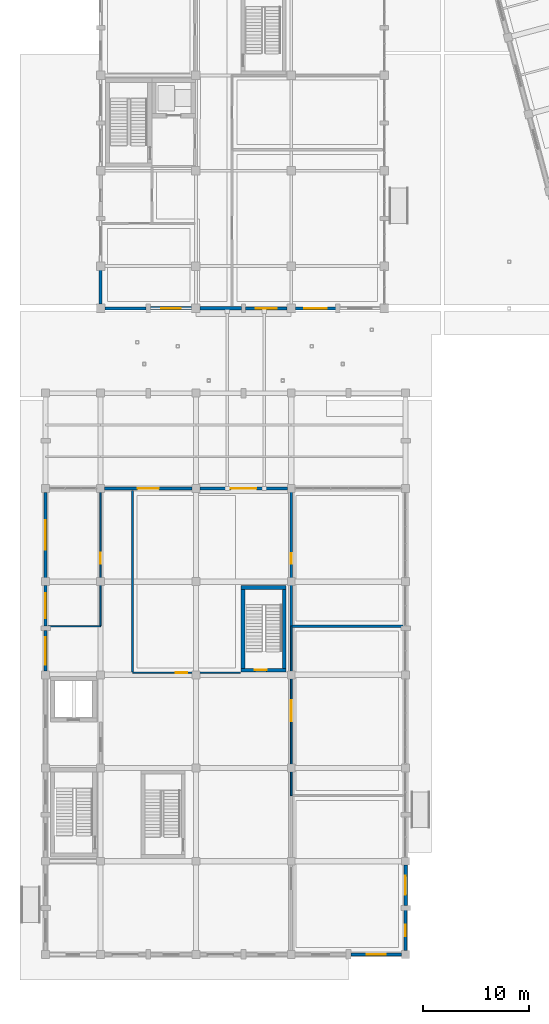
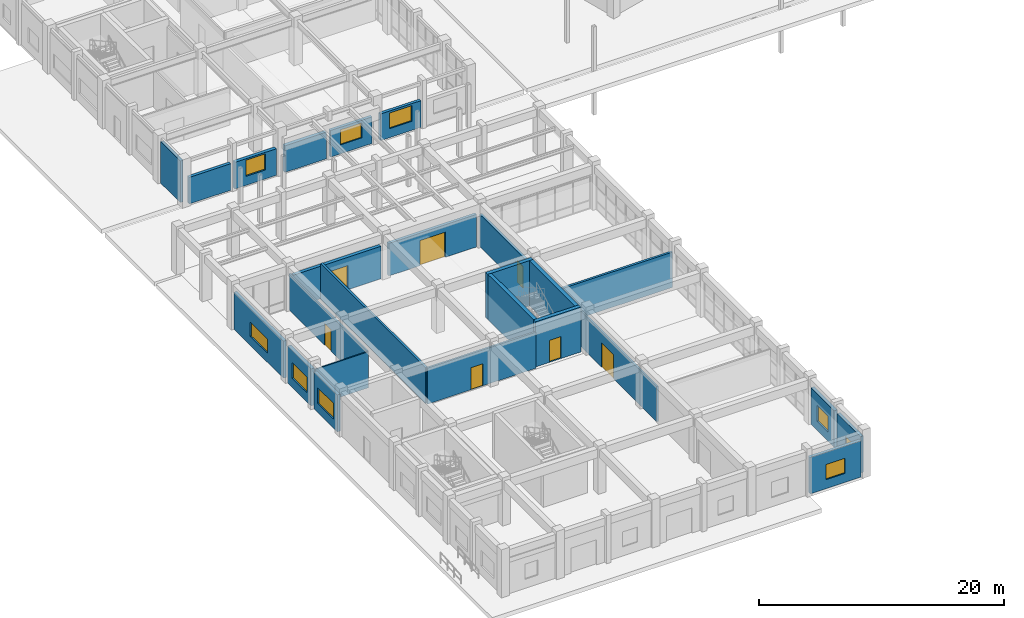
# One storey, part 33 of 47: 25 walls, 8 doors, 8 windows, 16 openings.
"""IFC4 building model written with IfcOpenShell, lengths in metres."""

import ifcopenshell
import ifcopenshell.guid

model = None  # the IFC model being written
_history = None  # IfcOwnerHistory: only IFC2X3 demands one
_inside = {}  # id of a spatial element -> (the spatial element, [elements in it])
_under = {}  # id of a project, library or spatial element -> (it, [spatial elements below it])
_declared = {}  # id of a project -> (the project, [libraries it declares])
_typed = {}  # id of a type object -> (the type object, [elements of that type])
_made_of = {}  # id of a material, layer set ... -> (it, [elements and type objects made of it])


def new_model(schema):
    """Start an empty IFC model of exactly this schema.

    Asked for "IFC4X3", IfcOpenShell would pick the latest addendum, in which some entities
    have other attributes; the version numbers below select the first issue.
    IFC2X3 requires an IfcOwnerHistory on every rooted entity: one is made here for all.
    """
    global model, _history
    if schema == "IFC4X3":
        model = ifcopenshell.file(schema_version=(4, 3, 0, 0))
    else:
        model = ifcopenshell.file(schema=schema)
    _inside.clear()
    _under.clear()
    _declared.clear()
    _typed.clear()
    _made_of.clear()
    _history = None
    if model.schema == "IFC2X3":
        org = make("IfcOrganization", Name="unknown")
        user = make(
            "IfcPersonAndOrganization",
            ThePerson=make("IfcPerson", FamilyName="unknown"),
            TheOrganization=org,
        )
        app = make(
            "IfcApplication",
            ApplicationDeveloper=org,
            Version="unknown",
            ApplicationFullName="unknown",
            ApplicationIdentifier="unknown",
        )
        _history = make(
            "IfcOwnerHistory",
            OwningUser=user,
            OwningApplication=app,
            ChangeAction="ADDED",
            CreationDate=0,
        )
    return model


def make(cls, **values):
    """One entity of the class cls with the attributes given. An attribute that is None is left unset."""
    return model.create_entity(
        cls, **{name: value for name, value in values.items() if value is not None}
    )


def rooted(cls, **values):
    """An entity with a GlobalId (a new one), such as an element, a storey or a relation."""
    return make(cls, GlobalId=ifcopenshell.guid.new(), OwnerHistory=_history, **values)


def si_unit(unit_type, name, prefix=None):
    """IfcSIUnit, for example si_unit("LENGTHUNIT", "METRE", prefix="MILLI")."""
    return make("IfcSIUnit", UnitType=unit_type, Prefix=prefix, Name=name)


def assignment(units):
    """IfcUnitAssignment: the units of a project."""
    return None if units is None else make("IfcUnitAssignment", Units=units)


def point(xyz):
    """IfcCartesianPoint."""
    return None if xyz is None else make("IfcCartesianPoint", Coordinates=xyz)


def direction(xyz):
    """IfcDirection."""
    return None if xyz is None else make("IfcDirection", DirectionRatios=xyz)


def frame(location, z_axis=None, x_axis=None):
    """IfcAxis2Placement3D, a coordinate frame: its origin and axes. An axis left out is left unset."""
    return make(
        "IfcAxis2Placement3D",
        Location=point(location),
        Axis=direction(z_axis),
        RefDirection=direction(x_axis),
    )


def frame_2d(location, x_axis=None):
    """IfcAxis2Placement2D, a coordinate frame in the plane: its origin and x axis."""
    return make(
        "IfcAxis2Placement2D", Location=point(location), RefDirection=direction(x_axis)
    )


def origin():
    """The frame at (0, 0, 0) with its axes left unset."""
    return frame((0.0, 0.0, 0.0))


def place(relative_to, where):
    """IfcLocalPlacement: puts the frame where relative to a parent placement (None: the world)."""
    return make(
        "IfcLocalPlacement", PlacementRelTo=relative_to, RelativePlacement=where
    )


def context(
    kind, dimensions, precision=None, world=None, true_north=None, identifier=None
):
    """IfcGeometricRepresentationContext, for example the 3D "Model" context."""
    return make(
        "IfcGeometricRepresentationContext",
        ContextIdentifier=identifier,
        ContextType=kind,
        CoordinateSpaceDimension=dimensions,
        Precision=precision,
        WorldCoordinateSystem=world,
        TrueNorth=true_north,
    )


def subcontext(parent, identifier, kind, view, scale=None):
    """IfcGeometricRepresentationSubContext, for example "Body" below "Model"."""
    return make(
        "IfcGeometricRepresentationSubContext",
        ContextIdentifier=identifier,
        ContextType=kind,
        ParentContext=parent,
        TargetScale=scale,
        TargetView=view,
    )


def project(units=None, contexts=None):
    """IfcProject with its units and contexts."""
    return rooted(
        "IfcProject",
        Name="project",
        RepresentationContexts=contexts,
        UnitsInContext=assignment(units),
    )


def spatial(cls, under=None, at=None, **own):
    """A site, building, storey or space (cls), placed at a placement, below another one or the project."""
    s = rooted(cls, ObjectPlacement=at, **own)
    if under is not None:
        _under.setdefault(under.id(), (under, []))[1].append(s)
    return s


def profile(cls, at=None, kind="AREA", **sizes):
    """A parametric profile (cls). Its sizes go by their IFC names, for example OverallWidth=200.0."""
    return make(cls, ProfileType=kind, Position=at, **sizes)


def rectangle(**sizes):
    """IfcRectangleProfileDef."""
    return profile("IfcRectangleProfileDef", **sizes)


def extrude(swept, where, along, depth):
    """IfcExtrudedAreaSolid: the profile swept, set in the frame where, extruded along a direction by depth."""
    return make(
        "IfcExtrudedAreaSolid",
        SweptArea=swept,
        Position=where,
        ExtrudedDirection=direction(along),
        Depth=depth,
    )


def shape(context_of_items, identifier, shape_type, items):
    """IfcShapeRepresentation: the items that make up one representation, for example the "Body"."""
    return make(
        "IfcShapeRepresentation",
        ContextOfItems=context_of_items,
        RepresentationIdentifier=identifier,
        RepresentationType=shape_type,
        Items=items,
    )


def material(Name=None, Category=None):
    """IfcMaterial."""
    return make("IfcMaterial", Name=Name, Category=Category)


def layer(
    of_material, thickness, ventilated=None, Name=None, Category=None, Priority=None
):
    """IfcMaterialLayer: one layer of a wall or slab, of a material (None: an air gap)."""
    return make(
        "IfcMaterialLayer",
        Material=of_material,
        LayerThickness=thickness,
        IsVentilated=ventilated,
        Name=Name,
        Category=Category,
        Priority=Priority,
    )


def layer_set(layers, Name=None):
    """IfcMaterialLayerSet."""
    return make("IfcMaterialLayerSet", MaterialLayers=layers, LayerSetName=Name)


def made_of(thing, what):
    """Note that an element or type object is made of a material, layer set ...; save() writes the relation."""
    if what is not None:
        _made_of.setdefault(what.id(), (what, []))[1].append(thing)
    return thing


def type_object(cls, material=None, **own):
    """A type object (cls), such as IfcWallType, which elements share."""
    return made_of(rooted(cls, **own), material)


def element(
    cls,
    number,
    at=None,
    inside=None,
    cuts=None,
    type_object=None,
    material=None,
    context=None,
    identifier="Body",
    shape_type=None,
    held_by="IfcProductDefinitionShape",
    body=None,
    shapes=None,
    **own,
):
    """One element of the class cls, such as IfcWall. Its Tag is "e" and its number.

    at: its placement. inside: the storey or other place that contains it. cuts: it is an
    opening in that element (IfcRelVoidsElement). A single representation is given by context,
    identifier, shape_type and body (its items); several are given by shapes. held_by: the class
    of the entity that holds the representations. save() writes the other relations.
    """
    e = rooted(cls, Tag="e%d" % number, ObjectPlacement=at, **own)
    if body is not None:
        shapes = [shape(context, identifier, shape_type, body)]
    if shapes is not None:
        e.Representation = make(held_by, Representations=shapes)
    if inside is not None:
        _inside.setdefault(inside.id(), (inside, []))[1].append(e)
    if cuts is not None:
        rooted(
            "IfcRelVoidsElement", RelatingBuildingElement=cuts, RelatedOpeningElement=e
        )
    if type_object is not None:
        _typed.setdefault(type_object.id(), (type_object, []))[1].append(e)
    return made_of(e, material)


def fill(opening, filler):
    """IfcRelFillsElement: the door or window that sits in an opening."""
    return rooted(
        "IfcRelFillsElement",
        RelatingOpeningElement=opening,
        RelatedBuildingElement=filler,
    )


def aggregate(whole, parts):
    """IfcRelAggregates: a whole, such as a stair, and the parts it consists of."""
    return rooted("IfcRelAggregates", RelatingObject=whole, RelatedObjects=parts)


def save(model, path):
    """Write the relations noted so far, then the file.

    IfcRelAggregates (storeys below a building ...), IfcRelContainedInSpatialStructure (elements
    in a storey), IfcRelDefinesByType, IfcRelAssociatesMaterial and IfcRelDeclares: one each for
    every whole, place, type object, material and project.
    """
    for whole, parts in _under.values():
        aggregate(whole, parts)
    for where, things in _inside.values():
        rooted(
            "IfcRelContainedInSpatialStructure",
            RelatedElements=things,
            RelatingStructure=where,
        )
    for kind, things in _typed.values():
        rooted("IfcRelDefinesByType", RelatedObjects=things, RelatingType=kind)
    for what, things in _made_of.values():
        rooted("IfcRelAssociatesMaterial", RelatedObjects=things, RelatingMaterial=what)
    for by, libraries in _declared.values():
        rooted("IfcRelDeclares", RelatingContext=by, RelatedDefinitions=libraries)
    model.write(path)


model = new_model("IFC4")

# Units and contexts
model_context = context("Model", 3, precision=1e-05, world=origin(), true_north=direction((0.0, 1.0)))
body_context = subcontext(model_context, "Body", "Model", "MODEL_VIEW")
ifc_project = project(units=[si_unit("LENGTHUNIT", "METRE"), si_unit("AREAUNIT", "SQUARE_METRE"), si_unit("VOLUMEUNIT", "CUBIC_METRE"), si_unit("PLANEANGLEUNIT", "RADIAN"), si_unit("MASSUNIT", "GRAM", prefix="KILO")], contexts=[model_context])

# Site, building, storey
site_placement = place(None, origin())
site = spatial("IfcSite", under=ifc_project, at=site_placement, CompositionType="ELEMENT")
building_placement = place(site_placement, origin())
building = spatial("IfcBuilding", under=site, at=building_placement, Name="Ventoquebrada Cableway Terminal", CompositionType="ELEMENT")
storey_placement = place(building_placement, origin())
storey = spatial("IfcBuildingStorey", under=building, at=storey_placement, Name="L00", CompositionType="ELEMENT", Elevation=0.0)

# Wall, opening, window
ifc_material_1 = material(Name="Precast architectural concrete C40/50", Category="concrete")
ifc_layer_1 = layer(ifc_material_1, 0.280029296875)
ifc_layer_set_1 = layer_set([ifc_layer_1], Name="Precast architectural concrete C40/50")
wall_type_1 = type_object("IfcWallType", Name="WL-EX1", PredefinedType="SOLIDWALL", material=ifc_layer_set_1)
wall_1_placement = place(storey_placement, frame((31.820068359375, 3.0, 0.0), z_axis=(0.0, 0.0, 1.0), x_axis=(1.0, 0.0, 0.0)))
wall_1 = element("IfcWall", 1, at=wall_1_placement, inside=storey, type_object=wall_type_1, Name="Exterior architectural wall EW-0080", PredefinedType="SOLIDWALL", context=body_context, shape_type="SweptSolid", body=[
    extrude(rectangle(XDim=4.809814453125, YDim=0.280029296875, at=frame_2d((2.40478515625, 0.0))), origin(), (0.0, 0.0, 1.0), 3.625),
])
opening_1_placement = place(wall_1_placement, frame((1.5048828125, 0.0, 0.89990234375)))
opening_1 = element("IfcOpeningElement", 2, at=opening_1_placement, cuts=wall_1, Name="Opening WN-005", PredefinedType="OPENING", context=body_context, shape_type="SweptSolid", body=[
    extrude(rectangle(XDim=1.800048828125, YDim=1.5, at=frame_2d((0.89990234375, 0.75))), frame((0.0, 0.14990234375, 0.0), z_axis=(0.0, -1.0, 0.0), x_axis=(1.0, 0.0, 0.0)), (0.0, 0.0, 1.0), 0.300048828125),
])
ifc_material_2 = material(Name="Double low-e laminated safety glazing", Category="glass")
window_type_1 = type_object("IfcWindowType", Name="WT-05", PartitioningType="SINGLE_PANEL", PredefinedType="WINDOW", material=ifc_material_2)
window_1_placement = place(opening_1_placement, origin())
window_1 = element("IfcWindow", 3, at=window_1_placement, inside=storey, type_object=window_type_1, Name="Architectural punched window WN-005", OverallHeight=1.5, OverallWidth=1.800048828125, PartitioningType="SINGLE_PANEL", PredefinedType="WINDOW", context=body_context, shape_type="SweptSolid", body=[
    extrude(rectangle(XDim=1.800048828125, YDim=1.5, at=frame_2d((0.89990234375, 0.75))), frame((0.0, 0.030029296875, 0.0), z_axis=(0.0, -1.0, 0.0), x_axis=(1.0, 0.0, 0.0)), (0.0, 0.0, 1.0), 0.06005859375),
])
fill(opening_1, window_1)

# Wall, opening, door
wall_2_placement = place(storey_placement, frame((37.0, 3.3701171875, 0.0), z_axis=(0.0, 0.0, 1.0), x_axis=(0.0, 1.0, 0.0)))
wall_2 = element("IfcWall", 4, at=wall_2_placement, inside=storey, type_object=wall_type_1, Name="Exterior architectural wall EW-0081", PredefinedType="SOLIDWALL", context=body_context, shape_type="SweptSolid", body=[
    extrude(rectangle(XDim=3.809814453125, YDim=0.280029296875, at=frame_2d((1.90478515625, 0.0))), origin(), (0.0, 0.0, 1.0), 3.625),
])
opening_2_placement = place(wall_2_placement, frame((1.35498046875, 0.0, 0.0)))
opening_2 = element("IfcOpeningElement", 5, at=opening_2_placement, cuts=wall_2, Name="Opening D-SV-03", PredefinedType="OPENING", context=body_context, shape_type="SweptSolid", body=[
    extrude(rectangle(XDim=1.10009765625, YDim=2.199951171875, at=frame_2d((0.550048828125, 1.10009765625))), frame((0.0, 0.14990234375, 0.0), z_axis=(0.0, -1.0, 0.0), x_axis=(1.0, 0.0, 0.0)), (0.0, 0.0, 1.0), 0.300048828125),
])
ifc_material_3 = material(Name="Galvanized acoustic steel door assembly", Category="steel")
door_type_1 = type_object("IfcDoorType", Name="DT-EX04", OperationType="SINGLE_SWING_LEFT", PredefinedType="DOOR", material=ifc_material_3)
door_1_placement = place(opening_2_placement, origin())
door_1 = element("IfcDoor", 6, at=door_1_placement, inside=storey, type_object=door_type_1, Name="Exterior d-sv door D-SV-03", OperationType="SINGLE_SWING_RIGHT", OverallHeight=2.199951171875, OverallWidth=1.10009765625, PredefinedType="DOOR", context=body_context, shape_type="SweptSolid", body=[
    extrude(rectangle(XDim=1.10009765625, YDim=2.199951171875, at=frame_2d((0.550048828125, 1.10009765625))), frame((0.0, 0.02490234375, 0.0), z_axis=(0.0, -1.0, 0.0), x_axis=(1.0, 0.0, 0.0)), (0.0, 0.0, 1.0), 0.050048828125),
])
fill(opening_2, door_1)

wall_3_placement = place(storey_placement, frame((25.830078125, 47.0, 0.0), z_axis=(0.0, 0.0, 1.0), x_axis=(-1.0, 0.0, 0.0)))
wall_3 = element("IfcWall", 7, at=wall_3_placement, inside=storey, type_object=wall_type_1, Name="Exterior architectural wall EW-0084", PredefinedType="SOLIDWALL", context=body_context, shape_type="SweptSolid", body=[
    extrude(rectangle(XDim=8.260009765625, YDim=0.280029296875, at=frame_2d((4.1298828125, 0.0))), origin(), (0.0, 0.0, 1.0), 3.235107421875),
])
opening_3_placement = place(wall_3_placement, frame((2.929931640625, 0.0, 0.0)))
opening_3 = element("IfcOpeningElement", 8, at=opening_3_placement, cuts=wall_3, Name="Opening D-EN-05", PredefinedType="OPENING", context=body_context, shape_type="SweptSolid", body=[
    extrude(rectangle(XDim=2.39990234375, YDim=2.5, at=frame_2d((1.199951171875, 1.25))), frame((0.0, 0.14990234375, 0.0), z_axis=(0.0, -1.0, 0.0), x_axis=(1.0, 0.0, 0.0)), (0.0, 0.0, 1.0), 0.300048828125),
])
door_type_2 = type_object("IfcDoorType", Name="DT-EX02", OperationType="DOUBLE_SWING_RIGHT", PredefinedType="DOOR", material=ifc_material_3)
door_2_placement = place(opening_3_placement, origin())
door_2 = element("IfcDoor", 9, at=door_2_placement, inside=storey, type_object=door_type_2, Name="Exterior d-en door D-EN-05", OperationType="DOUBLE_SWING_RIGHT", OverallHeight=2.5, OverallWidth=2.39990234375, PredefinedType="DOOR", context=body_context, shape_type="SweptSolid", body=[
    extrude(rectangle(XDim=2.39990234375, YDim=2.5, at=frame_2d((1.199951171875, 1.25))), frame((0.0, 0.02490234375, 0.0), z_axis=(0.0, -1.0, 0.0), x_axis=(1.0, 0.0, 0.0)), (0.0, 0.0, 1.0), 0.050048828125),
])
fill(opening_3, door_2)

# Wall, opening, window
wall_4_placement = place(storey_placement, frame((3.0, 33.580078125, 0.0), z_axis=(0.0, 0.0, 1.0), x_axis=(0.0, -1.0, 0.0)))
wall_4 = element("IfcWall", 10, at=wall_4_placement, inside=storey, type_object=wall_type_1, Name="Exterior architectural wall EW-0091", PredefinedType="SOLIDWALL", context=body_context, shape_type="SweptSolid", body=[
    extrude(rectangle(XDim=3.81005859375, YDim=0.280029296875, at=frame_2d((1.905029296875, 0.0))), origin(), (0.0, 0.0, 1.0), 3.68505859375),
])
opening_4_placement = place(wall_4_placement, frame((0.60498046875, 0.0, 0.89990234375)))
opening_4 = element("IfcOpeningElement", 11, at=opening_4_placement, cuts=wall_4, Name="Opening WN-012", PredefinedType="OPENING", context=body_context, shape_type="SweptSolid", body=[
    extrude(rectangle(XDim=2.60009765625, YDim=1.550048828125, at=frame_2d((1.300048828125, 0.77490234375))), frame((0.0, 0.14990234375, 0.0), z_axis=(0.0, -1.0, 0.0), x_axis=(1.0, 0.0, 0.0)), (0.0, 0.0, 1.0), 0.300048828125),
])
window_type_2 = type_object("IfcWindowType", Name="WT-12", PartitioningType="SINGLE_PANEL", PredefinedType="WINDOW", material=ifc_material_2)
window_2_placement = place(opening_4_placement, origin())
window_2 = element("IfcWindow", 12, at=window_2_placement, inside=storey, type_object=window_type_2, Name="Architectural punched window WN-012", OverallHeight=1.550048828125, OverallWidth=2.60009765625, PartitioningType="SINGLE_PANEL", PredefinedType="WINDOW", context=body_context, shape_type="SweptSolid", body=[
    extrude(rectangle(XDim=2.60009765625, YDim=1.550048828125, at=frame_2d((1.300048828125, 0.77490234375))), frame((0.0, 0.030029296875, 0.0), z_axis=(0.0, -1.0, 0.0), x_axis=(1.0, 0.0, 0.0)), (0.0, 0.0, 1.0), 0.06005859375),
])
fill(opening_4, window_2)

wall_5_placement = place(storey_placement, frame((3.0, 46.6298828125, 0.0), z_axis=(0.0, 0.0, 1.0), x_axis=(0.0, -1.0, 0.0)))
wall_5 = element("IfcWall", 13, at=wall_5_placement, inside=storey, type_object=wall_type_1, Name="Exterior architectural wall EW-0092", PredefinedType="SOLIDWALL", context=body_context, shape_type="SweptSolid", body=[
    extrude(rectangle(XDim=8.059814453125, YDim=0.280029296875, at=frame_2d((4.02978515625, 0.0))), origin(), (0.0, 0.0, 1.0), 3.68505859375),
])
opening_5_placement = place(wall_5_placement, frame((2.6298828125, 0.0, 0.89990234375)))
opening_5 = element("IfcOpeningElement", 14, at=opening_5_placement, cuts=wall_5, Name="Opening WN-013", PredefinedType="OPENING", context=body_context, shape_type="SweptSolid", body=[
    extrude(rectangle(XDim=2.800048828125, YDim=1.39990234375, at=frame_2d((1.39990234375, 0.699951171875))), frame((0.0, 0.14990234375, 0.0), z_axis=(0.0, -1.0, 0.0), x_axis=(1.0, 0.0, 0.0)), (0.0, 0.0, 1.0), 0.300048828125),
])
window_type_3 = type_object("IfcWindowType", Name="WT-13", PartitioningType="SINGLE_PANEL", PredefinedType="WINDOW", material=ifc_material_2)
window_3_placement = place(opening_5_placement, origin())
window_3 = element("IfcWindow", 15, at=window_3_placement, inside=storey, type_object=window_type_3, Name="Architectural punched window WN-013", OverallHeight=1.39990234375, OverallWidth=2.800048828125, PartitioningType="SINGLE_PANEL", PredefinedType="WINDOW", context=body_context, shape_type="SweptSolid", body=[
    extrude(rectangle(XDim=2.800048828125, YDim=1.39990234375, at=frame_2d((1.39990234375, 0.699951171875))), frame((0.0, 0.030029296875, 0.0), z_axis=(0.0, -1.0, 0.0), x_axis=(1.0, 0.0, 0.0)), (0.0, 0.0, 1.0), 0.06005859375),
])
fill(opening_5, window_3)

# Wall
wall_6_placement = place(storey_placement, frame((8.594970703125, 64.0, 0.0), z_axis=(0.0, 0.0, 1.0), x_axis=(1.0, 0.0, 0.0)))
element("IfcWall", 16, at=wall_6_placement, inside=storey, type_object=wall_type_1, Name="Exterior architectural wall EW-0127", PredefinedType="SOLIDWALL", context=body_context, shape_type="SweptSolid", body=[
    extrude(rectangle(XDim=3.909912109375, YDim=0.280029296875, at=frame_2d((1.955078125, 0.0))), origin(), (0.0, 0.0, 1.0), 2.64794921875),
])

# Wall, opening, window
wall_7_placement = place(storey_placement, frame((21.89501953125, 64.0, 0.0), z_axis=(0.0, 0.0, 1.0), x_axis=(1.0, 0.0, 0.0)))
wall_7 = element("IfcWall", 17, at=wall_7_placement, inside=storey, type_object=wall_type_1, Name="Exterior architectural wall EW-0130", PredefinedType="SOLIDWALL", context=body_context, shape_type="SweptSolid", body=[
    extrude(rectangle(XDim=3.909912109375, YDim=0.280029296875, at=frame_2d((1.955078125, 0.0))), origin(), (0.0, 0.0, 1.0), 2.64794921875),
])
opening_6_placement = place(wall_7_placement, frame((0.955078125, 0.0, 0.89990234375)))
opening_6 = element("IfcOpeningElement", 18, at=opening_6_placement, cuts=wall_7, Name="Opening WN-047", PredefinedType="OPENING", context=body_context, shape_type="SweptSolid", body=[
    extrude(rectangle(XDim=2.0, YDim=1.5, at=frame_2d((1.0, 0.75))), frame((0.0, 0.14990234375, 0.0), z_axis=(0.0, -1.0, 0.0), x_axis=(1.0, 0.0, 0.0)), (0.0, 0.0, 1.0), 0.300048828125),
])
window_type_4 = type_object("IfcWindowType", Name="WT-07", PartitioningType="SINGLE_PANEL", PredefinedType="WINDOW", material=ifc_material_2)
window_4_placement = place(opening_6_placement, origin())
window_4 = element("IfcWindow", 19, at=window_4_placement, inside=storey, type_object=window_type_4, Name="Architectural punched window WN-047", OverallHeight=1.5, OverallWidth=2.0, PartitioningType="SINGLE_PANEL", PredefinedType="WINDOW", context=body_context, shape_type="SweptSolid", body=[
    extrude(rectangle(XDim=2.0, YDim=1.5, at=frame_2d((1.0, 0.75))), frame((0.0, 0.030029296875, 0.0), z_axis=(0.0, -1.0, 0.0), x_axis=(1.0, 0.0, 0.0)), (0.0, 0.0, 1.0), 0.06005859375),
])
fill(opening_6, window_4)

wall_8_placement = place(storey_placement, frame((26.594970703125, 64.0, 0.0), z_axis=(0.0, 0.0, 1.0), x_axis=(1.0, 0.0, 0.0)))
wall_8 = element("IfcWall", 20, at=wall_8_placement, inside=storey, type_object=wall_type_1, Name="Exterior architectural wall EW-0131", PredefinedType="SOLIDWALL", context=body_context, shape_type="SweptSolid", body=[
    extrude(rectangle(XDim=3.81005859375, YDim=0.280029296875, at=frame_2d((1.905029296875, 0.0))), origin(), (0.0, 0.0, 1.0), 2.64794921875),
])
opening_7_placement = place(wall_8_placement, frame((0.85498046875, 0.0, 0.89990234375)))
opening_7 = element("IfcOpeningElement", 21, at=opening_7_placement, cuts=wall_8, Name="Opening WN-048", PredefinedType="OPENING", context=body_context, shape_type="SweptSolid", body=[
    extrude(rectangle(XDim=2.10009765625, YDim=1.550048828125, at=frame_2d((1.050048828125, 0.77490234375))), frame((0.0, 0.14990234375, 0.0), z_axis=(0.0, -1.0, 0.0), x_axis=(1.0, 0.0, 0.0)), (0.0, 0.0, 1.0), 0.300048828125),
])
window_type_5 = type_object("IfcWindowType", Name="WT-08", PartitioningType="SINGLE_PANEL", PredefinedType="WINDOW", material=ifc_material_2)
window_5_placement = place(opening_7_placement, origin())
window_5 = element("IfcWindow", 22, at=window_5_placement, inside=storey, type_object=window_type_5, Name="Architectural punched window WN-048", OverallHeight=1.550048828125, OverallWidth=2.10009765625, PartitioningType="SINGLE_PANEL", PredefinedType="WINDOW", context=body_context, shape_type="SweptSolid", body=[
    extrude(rectangle(XDim=2.10009765625, YDim=1.550048828125, at=frame_2d((1.050048828125, 0.77490234375))), frame((0.0, 0.030029296875, 0.0), z_axis=(0.0, -1.0, 0.0), x_axis=(1.0, 0.0, 0.0)), (0.0, 0.0, 1.0), 0.06005859375),
])
fill(opening_7, window_5)

# Wall
wall_9_placement = place(storey_placement, frame((8.199951171875, 67.60498046875, 0.0), z_axis=(0.0, 0.0, 1.0), x_axis=(0.0, -1.0, 0.0)))
element("IfcWall", 23, at=wall_9_placement, inside=storey, type_object=wall_type_1, Name="Exterior architectural wall EW-0136", PredefinedType="SOLIDWALL", context=body_context, shape_type="SweptSolid", body=[
    extrude(rectangle(XDim=3.2099609375, YDim=0.280029296875, at=frame_2d((1.60498046875, 0.0))), origin(), (0.0, 0.0, 1.0), 4.135009765625),
])

# Wall, opening, window
ifc_layer_2 = layer(ifc_material_1, 0.320068359375)
ifc_layer_set_2 = layer_set([ifc_layer_2], Name="Precast architectural concrete C40/50")
wall_type_2 = type_object("IfcWallType", Name="WL-EX2", PredefinedType="SOLIDWALL", material=ifc_layer_set_2)
wall_10_placement = place(storey_placement, frame((37.0, 7.6201171875, 0.0), z_axis=(0.0, 0.0, 1.0), x_axis=(0.0, 1.0, 0.0)))
wall_10 = element("IfcWall", 24, at=wall_10_placement, inside=storey, type_object=wall_type_2, Name="Exterior architectural wall EW-0082", PredefinedType="SOLIDWALL", context=body_context, shape_type="SweptSolid", body=[
    extrude(rectangle(XDim=3.809814453125, YDim=0.320068359375, at=frame_2d((1.90478515625, 0.0))), origin(), (0.0, 0.0, 1.0), 3.625),
])
opening_8_placement = place(wall_10_placement, frame((1.0048828125, 0.0, 0.89990234375)))
opening_8 = element("IfcOpeningElement", 25, at=opening_8_placement, cuts=wall_10, Name="Opening WN-006", PredefinedType="OPENING", context=body_context, shape_type="SweptSolid", body=[
    extrude(rectangle(XDim=1.800048828125, YDim=1.60009765625, at=frame_2d((0.89990234375, 0.800048828125))), frame((0.0, 0.169921875, 0.0), z_axis=(0.0, -1.0, 0.0), x_axis=(1.0, 0.0, 0.0)), (0.0, 0.0, 1.0), 0.340087890625),
])
window_type_6 = type_object("IfcWindowType", Name="WT-06", PartitioningType="SINGLE_PANEL", PredefinedType="WINDOW", material=ifc_material_2)
window_6_placement = place(opening_8_placement, origin())
window_6 = element("IfcWindow", 26, at=window_6_placement, inside=storey, type_object=window_type_6, Name="Architectural punched window WN-006", OverallHeight=1.60009765625, OverallWidth=1.800048828125, PartitioningType="SINGLE_PANEL", PredefinedType="WINDOW", context=body_context, shape_type="SweptSolid", body=[
    extrude(rectangle(XDim=1.800048828125, YDim=1.60009765625, at=frame_2d((0.89990234375, 0.800048828125))), frame((0.0, 0.030029296875, 0.0), z_axis=(0.0, -1.0, 0.0), x_axis=(1.0, 0.0, 0.0)), (0.0, 0.0, 1.0), 0.06005859375),
])
fill(opening_8, window_6)

# Wall, opening, door
wall_11_placement = place(storey_placement, frame((16.830078125, 47.0, 0.0), z_axis=(0.0, 0.0, 1.0), x_axis=(-1.0, 0.0, 0.0)))
wall_11 = element("IfcWall", 27, at=wall_11_placement, inside=storey, type_object=wall_type_2, Name="Exterior architectural wall EW-0083", PredefinedType="SOLIDWALL", context=body_context, shape_type="SweptSolid", body=[
    extrude(rectangle(XDim=8.260009765625, YDim=0.320068359375, at=frame_2d((4.1298828125, 0.0))), origin(), (0.0, 0.0, 1.0), 3.235107421875),
])
opening_9_placement = place(wall_11_placement, frame((3.1298828125, 0.0, 0.0)))
opening_9 = element("IfcOpeningElement", 28, at=opening_9_placement, cuts=wall_11, Name="Opening D-EN-04", PredefinedType="OPENING", context=body_context, shape_type="SweptSolid", body=[
    extrude(rectangle(XDim=2.0, YDim=2.39990234375, at=frame_2d((1.0, 1.199951171875))), frame((0.0, 0.169921875, 0.0), z_axis=(0.0, -1.0, 0.0), x_axis=(1.0, 0.0, 0.0)), (0.0, 0.0, 1.0), 0.340087890625),
])
door_type_3 = type_object("IfcDoorType", Name="DT-EX01", OperationType="DOUBLE_SWING_LEFT", PredefinedType="DOOR", material=ifc_material_3)
door_3_placement = place(opening_9_placement, origin())
door_3 = element("IfcDoor", 29, at=door_3_placement, inside=storey, type_object=door_type_3, Name="Exterior d-en door D-EN-04", OperationType="DOUBLE_SWING_LEFT", OverallHeight=2.39990234375, OverallWidth=2.0, PredefinedType="DOOR", context=body_context, shape_type="SweptSolid", body=[
    extrude(rectangle(XDim=2.0, YDim=2.39990234375, at=frame_2d((1.0, 1.199951171875))), frame((0.0, 0.02490234375, 0.0), z_axis=(0.0, -1.0, 0.0), x_axis=(1.0, 0.0, 0.0)), (0.0, 0.0, 1.0), 0.050048828125),
])
fill(opening_9, door_3)

# Wall, opening, window
wall_12_placement = place(storey_placement, frame((3.0, 37.830078125, 0.0), z_axis=(0.0, 0.0, 1.0), x_axis=(0.0, -1.0, 0.0)))
wall_12 = element("IfcWall", 30, at=wall_12_placement, inside=storey, type_object=wall_type_2, Name="Exterior architectural wall EW-0090", PredefinedType="SOLIDWALL", context=body_context, shape_type="SweptSolid", body=[
    extrude(rectangle(XDim=3.81005859375, YDim=0.320068359375, at=frame_2d((1.905029296875, 0.0))), origin(), (0.0, 0.0, 1.0), 3.68505859375),
])
opening_10_placement = place(wall_12_placement, frame((0.705078125, 0.0, 0.89990234375)))
opening_10 = element("IfcOpeningElement", 31, at=opening_10_placement, cuts=wall_12, Name="Opening WN-011", PredefinedType="OPENING", context=body_context, shape_type="SweptSolid", body=[
    extrude(rectangle(XDim=2.39990234375, YDim=1.550048828125, at=frame_2d((1.199951171875, 0.77490234375))), frame((0.0, 0.169921875, 0.0), z_axis=(0.0, -1.0, 0.0), x_axis=(1.0, 0.0, 0.0)), (0.0, 0.0, 1.0), 0.340087890625),
])
window_type_7 = type_object("IfcWindowType", Name="WT-11", PartitioningType="SINGLE_PANEL", PredefinedType="WINDOW", material=ifc_material_2)
window_7_placement = place(opening_10_placement, origin())
window_7 = element("IfcWindow", 32, at=window_7_placement, inside=storey, type_object=window_type_7, Name="Architectural punched window WN-011", OverallHeight=1.550048828125, OverallWidth=2.39990234375, PartitioningType="SINGLE_PANEL", PredefinedType="WINDOW", context=body_context, shape_type="SweptSolid", body=[
    extrude(rectangle(XDim=2.39990234375, YDim=1.550048828125, at=frame_2d((1.199951171875, 0.77490234375))), frame((0.0, 0.030029296875, 0.0), z_axis=(0.0, -1.0, 0.0), x_axis=(1.0, 0.0, 0.0)), (0.0, 0.0, 1.0), 0.06005859375),
])
fill(opening_10, window_7)

wall_13_placement = place(storey_placement, frame((12.89501953125, 64.0, 0.0), z_axis=(0.0, 0.0, 1.0), x_axis=(1.0, 0.0, 0.0)))
wall_13 = element("IfcWall", 33, at=wall_13_placement, inside=storey, type_object=wall_type_2, Name="Exterior architectural wall EW-0128", PredefinedType="SOLIDWALL", context=body_context, shape_type="SweptSolid", body=[
    extrude(rectangle(XDim=3.909912109375, YDim=0.320068359375, at=frame_2d((1.955078125, 0.0))), origin(), (0.0, 0.0, 1.0), 2.64794921875),
])
opening_11_placement = place(wall_13_placement, frame((1.054931640625, 0.0, 0.89990234375)))
opening_11 = element("IfcOpeningElement", 34, at=opening_11_placement, cuts=wall_13, Name="Opening WN-046", PredefinedType="OPENING", context=body_context, shape_type="SweptSolid", body=[
    extrude(rectangle(XDim=1.800048828125, YDim=1.60009765625, at=frame_2d((0.89990234375, 0.800048828125))), frame((0.0, 0.169921875, 0.0), z_axis=(0.0, -1.0, 0.0), x_axis=(1.0, 0.0, 0.0)), (0.0, 0.0, 1.0), 0.340087890625),
])
window_8_placement = place(opening_11_placement, origin())
window_8 = element("IfcWindow", 35, at=window_8_placement, inside=storey, type_object=window_type_6, Name="Architectural punched window WN-046", OverallHeight=1.60009765625, OverallWidth=1.800048828125, PartitioningType="SINGLE_PANEL", PredefinedType="WINDOW", context=body_context, shape_type="SweptSolid", body=[
    extrude(rectangle(XDim=1.800048828125, YDim=1.60009765625, at=frame_2d((0.89990234375, 0.800048828125))), frame((0.0, 0.030029296875, 0.0), z_axis=(0.0, -1.0, 0.0), x_axis=(1.0, 0.0, 0.0)), (0.0, 0.0, 1.0), 0.06005859375),
])
fill(opening_11, window_8)

# Walls
wall_14_placement = place(storey_placement, frame((17.594970703125, 64.0, 0.0), z_axis=(0.0, 0.0, 1.0), x_axis=(1.0, 0.0, 0.0)))
element("IfcWall", 36, at=wall_14_placement, inside=storey, type_object=wall_type_2, Name="Exterior architectural wall EW-0129", PredefinedType="SOLIDWALL", context=body_context, shape_type="SweptSolid", body=[
    extrude(rectangle(XDim=3.909912109375, YDim=0.320068359375, at=frame_2d((1.955078125, 0.0))), origin(), (0.0, 0.0, 1.0), 2.64794921875),
])
ifc_material_4 = material(Name="Fire-rated gypsum partition board on steel framing", Category="steel")
ifc_layer_3 = layer(ifc_material_4, 0.1201171875)
ifc_layer_set_3 = layer_set([ifc_layer_3], Name="Fire-rated gypsum partition board on steel framing")
wall_type_3 = type_object("IfcWallType", Name="WL-PT1", PredefinedType="PARTITIONING", material=ifc_layer_set_3)
wall_15_placement = place(storey_placement, frame((3.199951171875, 34.0, 0.0), z_axis=(0.0, 0.0, 1.0), x_axis=(1.0, 0.0, 0.0)))
element("IfcWall", 37, at=wall_15_placement, inside=storey, type_object=wall_type_3, Name="Interior partition IW-0321", PredefinedType="PARTITIONING", context=body_context, shape_type="SweptSolid", body=[
    extrude(rectangle(XDim=5.0, YDim=0.1201171875, at=frame_2d((2.5, 0.0))), origin(), (0.0, 0.0, 1.0), 3.574951171875),
])

# Wall, opening, door
ifc_material_5 = material(Name="Autoclaved aerated concrete blockwork", Category="masonry")
ifc_layer_4 = layer(ifc_material_5, 0.2451171875)
ifc_layer_set_4 = layer_set([ifc_layer_4], Name="Autoclaved aerated concrete blockwork")
wall_type_4 = type_object("IfcWallType", Name="WL-PT10", PredefinedType="PARTITIONING", material=ifc_layer_set_4)
wall_16_placement = place(storey_placement, frame((26.199951171875, 34.0, 0.0), z_axis=(0.0, 0.0, 1.0), x_axis=(0.0, 1.0, 0.0)))
wall_16 = element("IfcWall", 38, at=wall_16_placement, inside=storey, type_object=wall_type_4, Name="Interior partition IW-0320", PredefinedType="PARTITIONING", context=body_context, shape_type="SweptSolid", body=[
    extrude(rectangle(XDim=12.800048828125, YDim=0.2451171875, at=frame_2d((6.39990234375, 0.0))), origin(), (0.0, 0.0, 1.0), 3.22509765625),
])
opening_12_placement = place(wall_16_placement, frame((5.89990234375, 0.0, 0.0)))
opening_12 = element("IfcOpeningElement", 39, at=opening_12_placement, cuts=wall_16, Name="Opening D-064", PredefinedType="OPENING", context=body_context, shape_type="SweptSolid", body=[
    extrude(rectangle(XDim=1.0, YDim=2.14990234375, at=frame_2d((0.5, 1.074951171875))), frame((0.0, 0.132568359375, 0.0), z_axis=(0.0, -1.0, 0.0), x_axis=(1.0, 0.0, 0.0)), (0.0, 0.0, 1.0), 0.26513671875),
])
ifc_material_6 = material(Name="Fire-retardant oak acoustic door leaf")
door_type_4 = type_object("IfcDoorType", Name="DT-IN02", OperationType="SINGLE_SWING_RIGHT", PredefinedType="DOOR", material=ifc_material_6)
door_4_placement = place(opening_12_placement, origin())
door_4 = element("IfcDoor", 40, at=door_4_placement, inside=storey, type_object=door_type_4, Name="Fire Command Room Door D-064", OperationType="SINGLE_SWING_LEFT", OverallHeight=2.14990234375, OverallWidth=1.0, PredefinedType="DOOR", context=body_context, shape_type="SweptSolid", body=[
    extrude(rectangle(XDim=1.0, YDim=2.14990234375, at=frame_2d((0.5, 1.074951171875))), frame((0.0, 0.02490234375, 0.0), z_axis=(0.0, -1.0, 0.0), x_axis=(1.0, 0.0, 0.0)), (0.0, 0.0, 1.0), 0.050048828125),
])
fill(opening_12, door_4)

ifc_layer_5 = layer(ifc_material_4, 0.14990234375)
ifc_layer_set_5 = layer_set([ifc_layer_5], Name="Fire-rated gypsum partition board on steel framing")
wall_type_5 = type_object("IfcWallType", Name="WL-PT2", PredefinedType="PARTITIONING", material=ifc_layer_set_5)
wall_17_placement = place(storey_placement, frame((8.199951171875, 34.05810546875, 0.0), z_axis=(0.0, 0.0, 1.0), x_axis=(0.0, 1.0, 0.0)))
wall_17 = element("IfcWall", 41, at=wall_17_placement, inside=storey, type_object=wall_type_5, Name="Interior partition IW-0322", PredefinedType="PARTITIONING", context=body_context, shape_type="SweptSolid", body=[
    extrude(rectangle(XDim=12.741943359375, YDim=0.14990234375, at=frame_2d((6.37109375, 0.0))), origin(), (0.0, 0.0, 1.0), 3.574951171875),
])
opening_13_placement = place(wall_17_placement, frame((5.845947265625, 0.0, 0.0)))
opening_13 = element("IfcOpeningElement", 42, at=opening_13_placement, cuts=wall_17, Name="Opening D-065", PredefinedType="OPENING", context=body_context, shape_type="SweptSolid", body=[
    extrude(rectangle(XDim=1.050048828125, YDim=2.14990234375, at=frame_2d((0.52490234375, 1.074951171875))), frame((0.0, 0.0849609375, 0.0), z_axis=(0.0, -1.0, 0.0), x_axis=(1.0, 0.0, 0.0)), (0.0, 0.0, 1.0), 0.169921875),
])
door_type_5 = type_object("IfcDoorType", Name="DT-IN03", OperationType="SINGLE_SWING_LEFT", PredefinedType="DOOR", material=ifc_material_6)
door_5_placement = place(opening_13_placement, origin())
door_5 = element("IfcDoor", 43, at=door_5_placement, inside=storey, type_object=door_type_5, Name="Public Accessible WC Door D-065", OperationType="SINGLE_SWING_RIGHT", OverallHeight=2.14990234375, OverallWidth=1.050048828125, PredefinedType="DOOR", context=body_context, shape_type="SweptSolid", body=[
    extrude(rectangle(XDim=1.050048828125, YDim=2.14990234375, at=frame_2d((0.52490234375, 1.074951171875))), frame((0.0, 0.02490234375, 0.0), z_axis=(0.0, -1.0, 0.0), x_axis=(1.0, 0.0, 0.0)), (0.0, 0.0, 1.0), 0.050048828125),
])
fill(opening_13, door_5)

ifc_layer_6 = layer(ifc_material_4, 0.179931640625)
ifc_layer_set_6 = layer_set([ifc_layer_6], Name="Fire-rated gypsum partition board on steel framing")
wall_type_6 = type_object("IfcWallType", Name="WL-PT3", PredefinedType="STANDARD", material=ifc_layer_set_6)
wall_18_placement = place(storey_placement, frame((11.199951171875, 29.60009765625, 0.0), z_axis=(0.0, 0.0, 1.0), x_axis=(1.0, 0.0, 0.0)))
wall_18 = element("IfcWall", 44, at=wall_18_placement, inside=storey, type_object=wall_type_6, Name="Interior partition IW-0323", PredefinedType="STANDARD", context=body_context, shape_type="SweptSolid", body=[
    extrude(rectangle(XDim=10.199951171875, YDim=0.179931640625, at=frame_2d((5.10009765625, 0.0))), origin(), (0.0, 0.0, 1.0), 3.574951171875),
])
opening_14_placement = place(wall_18_placement, frame((4.10009765625, 0.0, 0.0)))
opening_14 = element("IfcOpeningElement", 45, at=opening_14_placement, cuts=wall_18, Name="Opening D-066", PredefinedType="OPENING", context=body_context, shape_type="SweptSolid", body=[
    extrude(rectangle(XDim=1.10009765625, YDim=2.199951171875, at=frame_2d((0.550048828125, 1.10009765625))), frame((0.0, 0.099853515625, 0.0), z_axis=(0.0, -1.0, 0.0), x_axis=(1.0, 0.0, 0.0)), (0.0, 0.0, 1.0), 0.199951171875),
])
ifc_material_7 = material(Name="Galvanized fire-rated steel door assembly", Category="steel")
door_type_6 = type_object("IfcDoorType", Name="DT-IN05", OperationType="SINGLE_SWING_LEFT", PredefinedType="DOOR", material=ifc_material_7)
door_6_placement = place(opening_14_placement, origin())
door_6 = element("IfcDoor", 46, at=door_6_placement, inside=storey, type_object=door_type_6, Name="Ticket Vault Security Door D-066", OperationType="SINGLE_SWING_LEFT", OverallHeight=2.199951171875, OverallWidth=1.10009765625, PredefinedType="DOOR", context=body_context, shape_type="SweptSolid", body=[
    extrude(rectangle(XDim=1.10009765625, YDim=2.199951171875, at=frame_2d((0.550048828125, 1.10009765625))), frame((0.0, 0.02490234375, 0.0), z_axis=(0.0, -1.0, 0.0), x_axis=(1.0, 0.0, 0.0)), (0.0, 0.0, 1.0), 0.050048828125),
])
fill(opening_14, door_6)

# Wall
ifc_layer_7 = layer(ifc_material_5, 0.199951171875)
ifc_layer_set_7 = layer_set([ifc_layer_7], Name="Autoclaved aerated concrete blockwork")
wall_type_7 = type_object("IfcWallType", Name="WL-PT4", PredefinedType="PARTITIONING", material=ifc_layer_set_7)
wall_19_placement = place(storey_placement, frame((11.199951171875, 29.68798828125, 0.0), z_axis=(0.0, 0.0, 1.0), x_axis=(0.0, 1.0, 0.0)))
element("IfcWall", 47, at=wall_19_placement, inside=storey, type_object=wall_type_7, Name="Interior partition IW-0324", PredefinedType="PARTITIONING", context=body_context, shape_type="SweptSolid", body=[
    extrude(rectangle(XDim=17.112060546875, YDim=0.199951171875, at=frame_2d((8.55615234375, 0.0))), origin(), (0.0, 0.0, 1.0), 3.574951171875),
])

# Wall, opening, door
ifc_layer_8 = layer(ifc_material_4, 0.1650390625)
ifc_layer_set_8 = layer_set([ifc_layer_8], Name="Fire-rated gypsum partition board on steel framing")
wall_type_8 = type_object("IfcWallType", Name="WL-PT8", PredefinedType="PARTITIONING", material=ifc_layer_set_8)
wall_20_placement = place(storey_placement, frame((26.199951171875, 18.0, 0.0), z_axis=(0.0, 0.0, 1.0), x_axis=(0.0, 1.0, 0.0)))
wall_20 = element("IfcWall", 48, at=wall_20_placement, inside=storey, type_object=wall_type_8, Name="Interior partition IW-0318", PredefinedType="PARTITIONING", context=body_context, shape_type="SweptSolid", body=[
    extrude(rectangle(XDim=16.0, YDim=0.1650390625, at=frame_2d((8.0, 0.0))), origin(), (0.0, 0.0, 1.0), 3.514892578125),
])
opening_15_placement = place(wall_20_placement, frame((7.0, 0.0, 0.0)))
opening_15 = element("IfcOpeningElement", 49, at=opening_15_placement, cuts=wall_20, Name="Opening D-063", PredefinedType="OPENING", context=body_context, shape_type="SweptSolid", body=[
    extrude(rectangle(XDim=2.0, YDim=2.39990234375, at=frame_2d((1.0, 1.199951171875))), frame((0.0, 0.092529296875, 0.0), z_axis=(0.0, -1.0, 0.0), x_axis=(1.0, 0.0, 0.0)), (0.0, 0.0, 1.0), 0.18505859375),
])
door_type_7 = type_object("IfcDoorType", Name="DT-IN09", OperationType="DOUBLE_DOOR_SINGLE_SWING", PredefinedType="DOOR", material=ifc_material_7)
door_7_placement = place(opening_15_placement, origin())
door_7 = element("IfcDoor", 50, at=door_7_placement, inside=storey, type_object=door_type_7, Name="Market Kiosk Entrance D-063", OperationType="DOUBLE_DOOR_SINGLE_SWING", OverallHeight=2.39990234375, OverallWidth=2.0, PredefinedType="DOOR", context=body_context, shape_type="SweptSolid", body=[
    extrude(rectangle(XDim=2.0, YDim=2.39990234375, at=frame_2d((1.0, 1.199951171875))), frame((0.0, 0.02490234375, 0.0), z_axis=(0.0, -1.0, 0.0), x_axis=(1.0, 0.0, 0.0)), (0.0, 0.0, 1.0), 0.050048828125),
])
fill(opening_15, door_7)

# Wall
ifc_layer_9 = layer(ifc_material_5, 0.215087890625)
ifc_layer_set_9 = layer_set([ifc_layer_9], Name="Autoclaved aerated concrete blockwork")
wall_type_9 = type_object("IfcWallType", Name="WL-PT9", PredefinedType="PARTITIONING", material=ifc_layer_set_9)
wall_21_placement = place(storey_placement, frame((26.280029296875, 34.0, 0.0), z_axis=(0.0, 0.0, 1.0), x_axis=(1.0, 0.0, 0.0)))
element("IfcWall", 51, at=wall_21_placement, inside=storey, type_object=wall_type_9, Name="Interior partition IW-0319", PredefinedType="PARTITIONING", context=body_context, shape_type="SweptSolid", body=[
    extrude(rectangle(XDim=10.52001953125, YDim=0.215087890625, at=frame_2d((5.260009765625, 0.0))), origin(), (0.0, 0.0, 1.0), 3.514892578125),
])

# Wall, opening, door
ifc_material_8 = material(Name="Concrete C40/50", Category="concrete")
ifc_layer_10 = layer(ifc_material_8, 0.35009765625)
ifc_layer_set_10 = layer_set([ifc_layer_10], Name="Concrete C40/50")
wall_type_10 = type_object("IfcWallType", Name="WL-SH1", PredefinedType="SHEAR", material=ifc_layer_set_10)
wall_22_placement = place(storey_placement, frame((21.47509765625, 29.85009765625, 0.0), z_axis=(0.0, 0.0, 1.0), x_axis=(1.0, 0.0, 0.0)))
wall_22 = element("IfcWall", 52, at=wall_22_placement, inside=storey, type_object=wall_type_10, Name="Core shear wall IW-0189", PredefinedType="SHEAR", context=body_context, shape_type="SweptSolid", body=[
    extrude(rectangle(XDim=4.25, YDim=0.35009765625, at=frame_2d((2.125, 0.0))), origin(), (0.0, 0.0, 1.0), 4.489990234375),
])
opening_16_placement = place(wall_22_placement, frame((1.300048828125, 0.0, 0.0)))
opening_16 = element("IfcOpeningElement", 53, at=opening_16_placement, cuts=wall_22, Name="Opening D-024", PredefinedType="OPENING", context=body_context, shape_type="SweptSolid", body=[
    extrude(rectangle(XDim=1.10009765625, YDim=2.199951171875, at=frame_2d((0.550048828125, 1.10009765625))), frame((0.0, 0.18505859375, 0.0), z_axis=(0.0, -1.0, 0.0), x_axis=(1.0, 0.0, 0.0)), (0.0, 0.0, 1.0), 0.3701171875),
])
door_8_placement = place(opening_16_placement, origin())
door_8 = element("IfcDoor", 54, at=door_8_placement, inside=storey, type_object=door_type_6, Name="Core V5-SEC stair fire door D-024", OperationType="SINGLE_SWING_LEFT", OverallHeight=2.199951171875, OverallWidth=1.10009765625, PredefinedType="DOOR", context=body_context, shape_type="SweptSolid", body=[
    extrude(rectangle(XDim=1.10009765625, YDim=2.199951171875, at=frame_2d((0.550048828125, 1.10009765625))), frame((0.0, 0.02490234375, 0.0), z_axis=(0.0, -1.0, 0.0), x_axis=(1.0, 0.0, 0.0)), (0.0, 0.0, 1.0), 0.050048828125),
])
fill(opening_16, door_8)

# Walls
wall_23_placement = place(storey_placement, frame((25.550048828125, 30.02490234375, 0.0), z_axis=(0.0, 0.0, 1.0), x_axis=(0.0, 1.0, 0.0)))
element("IfcWall", 55, at=wall_23_placement, inside=storey, type_object=wall_type_10, Name="Core shear wall IW-0190", PredefinedType="SHEAR", context=body_context, shape_type="SweptSolid", body=[
    extrude(rectangle(XDim=7.4501953125, YDim=0.35009765625, at=frame_2d((3.72509765625, 0.0))), origin(), (0.0, 0.0, 1.0), 4.489990234375),
])
wall_24_placement = place(storey_placement, frame((25.72509765625, 37.64990234375, 0.0), z_axis=(0.0, 0.0, 1.0), x_axis=(-1.0, 0.0, 0.0)))
element("IfcWall", 56, at=wall_24_placement, inside=storey, type_object=wall_type_10, Name="Core shear wall IW-0191", PredefinedType="SHEAR", context=body_context, shape_type="SweptSolid", body=[
    extrude(rectangle(XDim=4.25, YDim=0.35009765625, at=frame_2d((2.125, 0.0))), origin(), (0.0, 0.0, 1.0), 4.489990234375),
])
wall_25_placement = place(storey_placement, frame((21.64990234375, 37.47509765625, 0.0), z_axis=(0.0, 0.0, 1.0), x_axis=(0.0, -1.0, 0.0)))
element("IfcWall", 57, at=wall_25_placement, inside=storey, type_object=wall_type_10, Name="Core shear wall IW-0192", PredefinedType="SHEAR", context=body_context, shape_type="SweptSolid", body=[
    extrude(rectangle(XDim=7.4501953125, YDim=0.35009765625, at=frame_2d((3.72509765625, 0.0))), origin(), (0.0, 0.0, 1.0), 4.489990234375),
])

save(model, "model.ifc")
